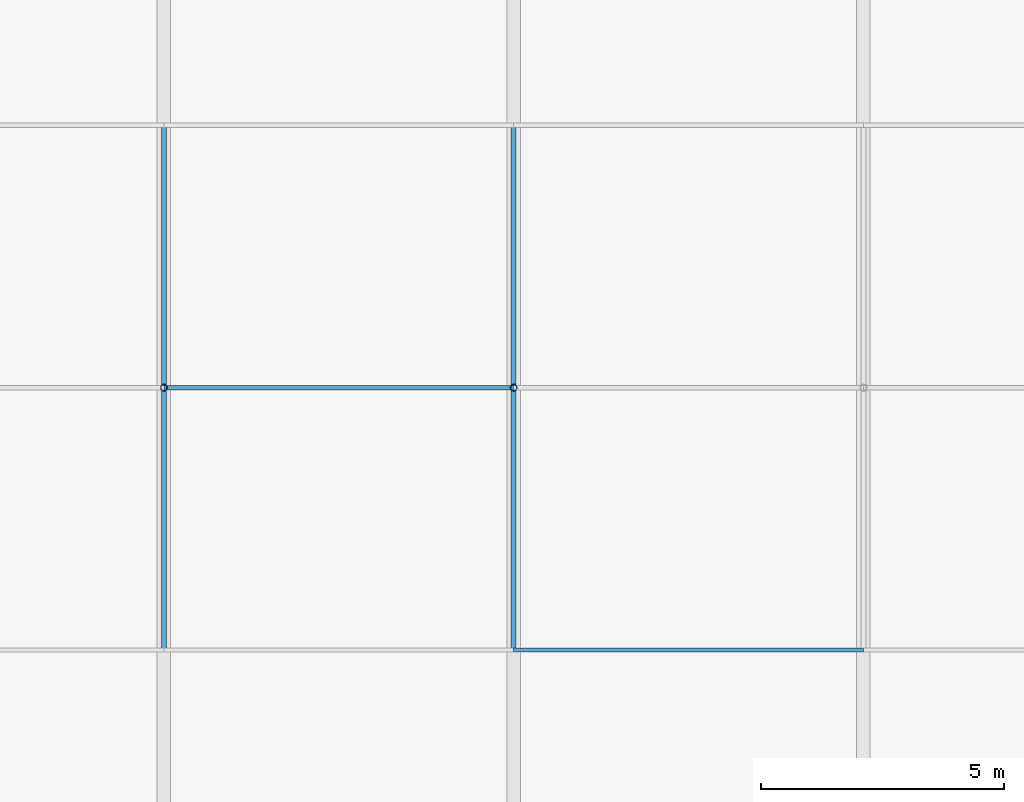
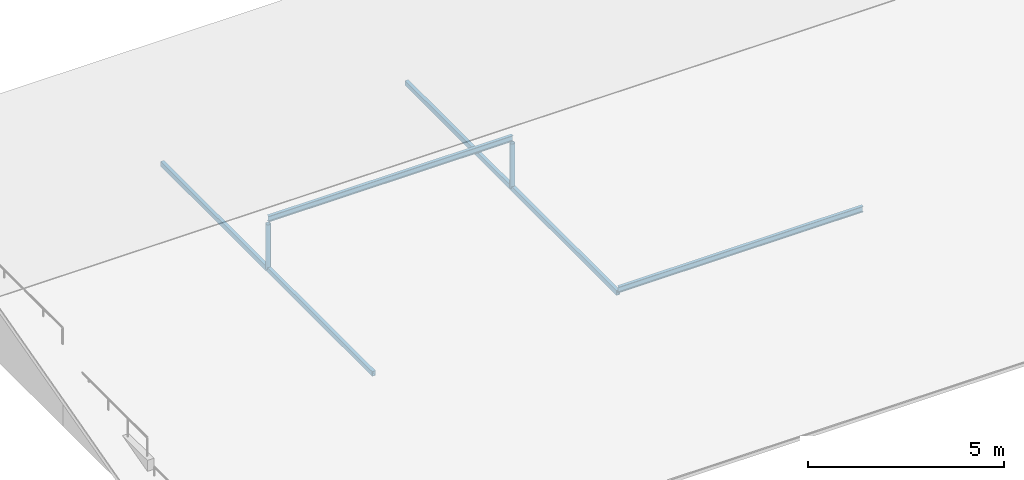
# One storey, part 10 of 22: 6 members.
"""IFC4 building model written with IfcOpenShell, lengths in metres."""

from ifc_helpers import new_model, si_unit, direction, frame, origin, origin_2d, place, context, subcontext, project, spatial, hollow_rectangle, hollow_circle, i_section, extrude, material, material_profile, profile_set, type_object, element, save


model = new_model("IFC4")

# Units and contexts
model_context = context("Model", 3, precision=1e-05, world=origin(), true_north=direction((0.0, 1.0)))
body_context = subcontext(model_context, "Body", "Model", "MODEL_VIEW")
ifc_project = project(units=[si_unit("LENGTHUNIT", "METRE"), si_unit("AREAUNIT", "SQUARE_METRE"), si_unit("VOLUMEUNIT", "CUBIC_METRE"), si_unit("PLANEANGLEUNIT", "RADIAN"), si_unit("MASSUNIT", "GRAM", prefix="KILO"), si_unit("THERMODYNAMICTEMPERATUREUNIT", "KELVIN"), si_unit("POWERUNIT", "WATT")], contexts=[model_context])

# Site, building, storey
site_placement = place(None, origin())
site = spatial("IfcSite", under=ifc_project, at=site_placement, CompositionType="ELEMENT")
building_placement = place(site_placement, origin())
building = spatial("IfcBuilding", under=site, at=building_placement, Name="Tavuni Mirador Residences", CompositionType="ELEMENT")
storey_placement = place(building_placement, frame((0.0, 0.0, 45.449951171875)))
storey = spatial("IfcBuildingStorey", under=building, at=storey_placement, Name="L14", CompositionType="ELEMENT", Elevation=45.449951171875)

# Members
ifc_material = material(Name="Structural steel S355", Category="steel")
ifc_material_profile_1 = material_profile(ifc_material, hollow_circle(Radius=0.06982421875, WallThickness=0.008056640625, at=origin_2d()), Name="CHS 139.7x8.0", Category="steel")
ifc_profile_set_1 = profile_set([ifc_material_profile_1], Name="Structural steel S355")
member_type_1 = type_object("IfcMemberType", Name="MT-BR-CHS139", PredefinedType="BRACE", material=ifc_profile_set_1)
for number, where, z_axis, x_axis, name in (
    (1, (25.199951171875, 162.0, 1.050048828125), (0.0, 0.0, 1.0), (1.0, 0.0, 0.0), "RKP-BLK-C-01"),
    (2, (32.39990234375, 162.0, 1.050048828125), (0.0, 0.0, 1.0), (1.0, 0.0, 0.0), "RKP-BLK-C-02"),
):
    element("IfcMember", number, at=place(storey_placement, frame(where, z_axis=z_axis, x_axis=x_axis)), inside=storey, type_object=member_type_1, Name=name, PredefinedType="BRACE", context=body_context, shape_type="SweptSolid", body=[
        extrude(hollow_circle(Radius=0.06982421875, WallThickness=0.008056640625, at=origin_2d()), origin(), (0.0, 0.0, 1.0), 1.39990234375),
    ])
ifc_material_profile_2 = material_profile(ifc_material, hollow_rectangle(XDim=0.10009765625, YDim=0.14990234375, WallThickness=0.008056640625, at=origin_2d()), Name="RHS 150x100x8.0", Category="steel")
ifc_profile_set_2 = profile_set([ifc_material_profile_2], Name="Structural steel S355")
member_type_2 = type_object("IfcMemberType", Name="MT-BR-RHS150", PredefinedType="BRACE", material=ifc_profile_set_2)
for number, where, z_axis, x_axis, name in (
    (3, (25.199951171875, 156.60009765625, 1.050048828125), (0.0, 1.0, 0.0), (-1.0, 0.0, 0.0), "RTIE-BLK-C-01"),
    (4, (32.39990234375, 156.60009765625, 1.050048828125), (0.0, 1.0, 0.0), (-1.0, 0.0, 0.0), "RTIE-BLK-C-02"),
):
    element("IfcMember", number, at=place(storey_placement, frame(where, z_axis=z_axis, x_axis=x_axis)), inside=storey, type_object=member_type_2, Name=name, PredefinedType="BRACE", context=body_context, shape_type="SweptSolid", body=[
        extrude(hollow_rectangle(XDim=0.10009765625, YDim=0.14990234375, WallThickness=0.008056640625, at=origin_2d()), origin(), (0.0, 0.0, 1.0), 10.7998046875),
    ])
ifc_material_profile_3 = material_profile(ifc_material, i_section(OverallWidth=0.091064453125, OverallDepth=0.179931640625, WebThickness=0.00537109375, FlangeThickness=0.008056640625, FilletRadius=0.009033203125, at=origin_2d()), Name="IPE 180", Category="steel")
ifc_profile_set_3 = profile_set([ifc_material_profile_3], Name="Structural steel S355")
member_type_3 = type_object("IfcMemberType", Name="MT-PR-IPE180", PredefinedType="PURLIN", material=ifc_profile_set_3)
member_1_placement = place(storey_placement, frame((32.39990234375, 156.60009765625, 1.155029296875), z_axis=(1.0, 0.0, 0.0), x_axis=(0.0, 1.0, 0.0)))
element("IfcMember", 5, at=member_1_placement, inside=storey, type_object=member_type_3, Name="RPUR-BLK-C-25-02", PredefinedType="PURLIN", context=body_context, shape_type="SweptSolid", body=[
    extrude(i_section(OverallWidth=0.091064453125, OverallDepth=0.179931640625, WebThickness=0.00537109375, FlangeThickness=0.008056640625, FilletRadius=0.009033203125, at=origin_2d()), origin(), (0.0, 0.0, 1.0), 7.2001953125),
])
member_2_placement = place(storey_placement, frame((25.199951171875, 162.0, 2.60498046875), z_axis=(1.0, 0.0, 0.0), x_axis=(0.0, 1.0, 0.0)))
element("IfcMember", 6, at=member_2_placement, inside=storey, type_object=member_type_3, Name="RPUR-BLK-C-50-01", PredefinedType="PURLIN", context=body_context, shape_type="SweptSolid", body=[
    extrude(i_section(OverallWidth=0.091064453125, OverallDepth=0.179931640625, WebThickness=0.00537109375, FlangeThickness=0.008056640625, FilletRadius=0.009033203125, at=origin_2d()), origin(), (0.0, 0.0, 1.0), 7.199951171875),
])

save(model, "model.ifc")
